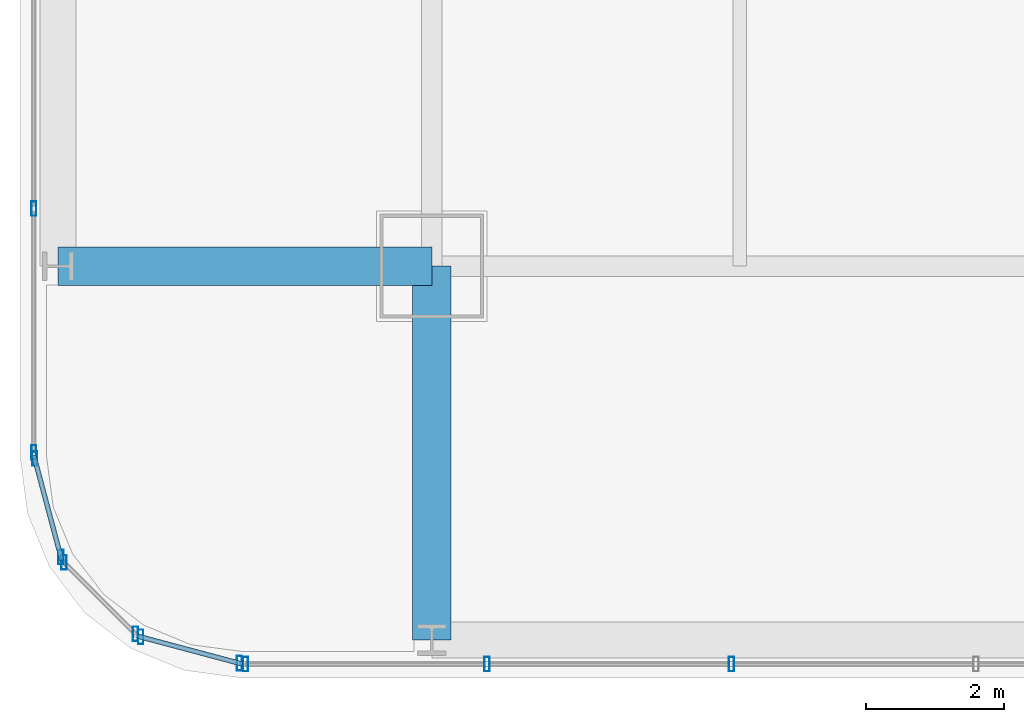
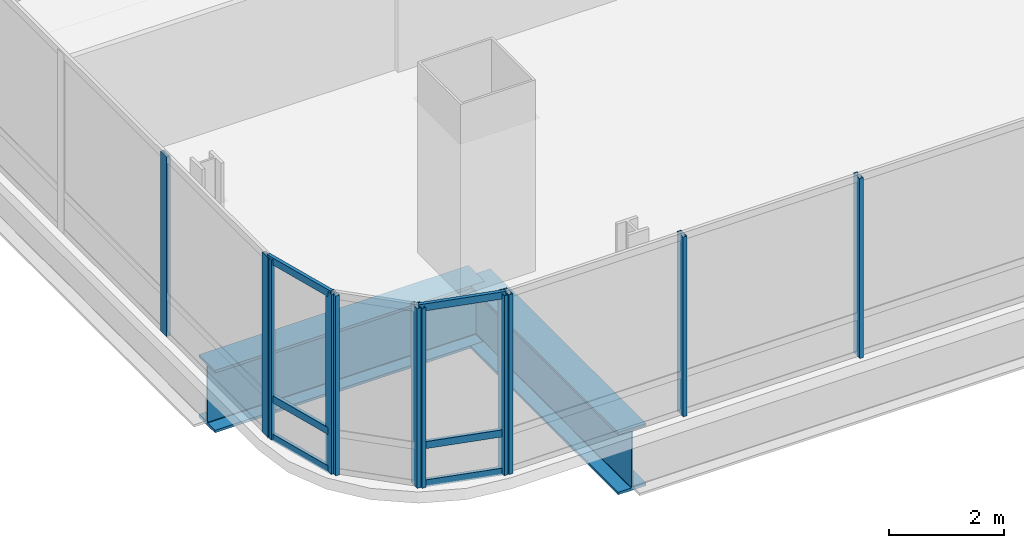
# One storey, part 2 of 36: 17 members, 2 beams, 5 elements without a shape of their own.
"""IFC4 building model written with IfcOpenShell, lengths in metres."""

from ifc_helpers import new_model, si_unit, direction, frame, origin, origin_2d, place, context, subcontext, project, spatial, hollow_rectangle, i_section, extrude, material, material_profile, profile_set, type_object, element, aggregate, save


model = new_model("IFC4")

# Units and contexts
model_context = context("Model", 3, precision=1e-05, world=origin(), true_north=direction((0.0, 1.0)))
body_context = subcontext(model_context, "Body", "Model", "MODEL_VIEW")
ifc_project = project(units=[si_unit("LENGTHUNIT", "METRE"), si_unit("AREAUNIT", "SQUARE_METRE"), si_unit("VOLUMEUNIT", "CUBIC_METRE"), si_unit("PLANEANGLEUNIT", "RADIAN"), si_unit("MASSUNIT", "GRAM", prefix="KILO")], contexts=[model_context])

# Site, building, storey
site_placement = place(None, origin())
site = spatial("IfcSite", under=ifc_project, at=site_placement, CompositionType="ELEMENT")
building_placement = place(site_placement, origin())
building = spatial("IfcBuilding", under=site, at=building_placement, Name="Punatoya Terracotta Tower", CompositionType="ELEMENT")
storey_placement = place(building_placement, frame((0.0, 0.0, 36.300048828125)))
storey = spatial("IfcBuildingStorey", under=building, at=storey_placement, Name="L07", CompositionType="ELEMENT", Elevation=36.300048828125)

# Beams
ifc_material_1 = material(Name="Steel S460", Category="steel")
ifc_material_profile_1 = material_profile(ifc_material_1, i_section(OverallWidth=0.56005859375, OverallDepth=1.320068359375, WebThickness=0.035888671875, FlangeThickness=0.054931640625, FilletRadius=0.01806640625, at=origin_2d()))
ifc_profile_set_1 = profile_set([ifc_material_profile_1], Name="Steel S460")
beam_type = type_object("IfcBeamType", Name="BM-TG-BLK", PredefinedType="BEAM", material=ifc_profile_set_1)
for number, where, z_axis, x_axis, name in (
    (1, (-24.5, -17.5, -0.900146484375), (1.0, 0.0, 0.0), (0.0, 1.0, 0.0), "BM-L07-CANT-W1"),
    (2, (-19.10009765625, -22.89990234375, -0.900146484375), (0.0, 1.0, 0.0), (-1.0, 0.0, 0.0), "BM-L07-CANT-S1"),
):
    element("IfcBeam", number, at=place(storey_placement, frame(where, z_axis=z_axis, x_axis=x_axis)), inside=storey, type_object=beam_type, Name=name, PredefinedType="BEAM", context=body_context, shape_type="SweptSolid", body=[
        extrude(i_section(OverallWidth=0.56005859375, OverallDepth=1.320068359375, WebThickness=0.035888671875, FlangeThickness=0.054931640625, FilletRadius=0.01806640625, at=origin_2d()), origin(), (0.0, 0.0, 1.0), 5.39990234375),
    ])

# Curtain wall, members
ifc_material_2 = material(Name="Aluminium 6063-T6 + Double Low-E Glass", Category="aluminium")
curtain_wall_type = type_object("IfcCurtainWallType", Name="CW-M1", PredefinedType="NOTDEFINED", material=ifc_material_2)
curtain_wall_1_placement = place(storey_placement, origin())
curtain_wall_1 = element("IfcCurtainWall", 3, at=curtain_wall_1_placement, inside=storey, type_object=curtain_wall_type, Name="L07 Curtain Wall CW-L07-S01-1", PredefinedType="NOTDEFINED")
ifc_material_3 = material(Name="Aluminium 6063-T6", Category="aluminium")
ifc_material_profile_2 = material_profile(ifc_material_3, hollow_rectangle(XDim=0.074951171875, YDim=0.2099609375, WallThickness=0.00439453125, at=origin_2d()))
ifc_profile_set_2 = profile_set([ifc_material_profile_2], Name="Aluminium 6063-T6")
member_type_1 = type_object("IfcMemberType", Name="CW-MUL-M1", PredefinedType="MULLION", material=ifc_profile_set_2)
member_1_placement = place(storey_placement, frame((-21.7919921875, -23.25, 0.0), z_axis=(0.0, 0.0, 1.0), x_axis=(1.0, 0.0, 0.0)))
member_1 = element("IfcMember", 4, at=member_1_placement, type_object=member_type_1, Name="CW-L07-S01-1 Mullion 00", PredefinedType="MULLION", context=body_context, shape_type="SweptSolid", body=[
    extrude(hollow_rectangle(XDim=0.074951171875, YDim=0.2099609375, WallThickness=0.00439453125, at=origin_2d()), origin(), (0.0, 0.0, 1.0), 3.81005859375),
])
member_2_placement = place(storey_placement, frame((-18.302978515625, -23.25, 0.0), z_axis=(0.0, 0.0, 1.0), x_axis=(1.0, 0.0, 0.0)))
member_2 = element("IfcMember", 5, at=member_2_placement, type_object=member_type_1, Name="CW-L07-S01-1 Mullion 01", PredefinedType="MULLION", context=body_context, shape_type="SweptSolid", body=[
    extrude(hollow_rectangle(XDim=0.074951171875, YDim=0.2099609375, WallThickness=0.00439453125, at=origin_2d()), origin(), (0.0, 0.0, 1.0), 3.81005859375),
])
member_3_placement = place(storey_placement, frame((-14.768798828125, -23.25, 0.0), z_axis=(0.0, 0.0, 1.0), x_axis=(1.0, 0.0, 0.0)))
member_3 = element("IfcMember", 6, at=member_3_placement, type_object=member_type_1, Name="CW-L07-S01-1 Mullion 02", PredefinedType="MULLION", context=body_context, shape_type="SweptSolid", body=[
    extrude(hollow_rectangle(XDim=0.074951171875, YDim=0.2099609375, WallThickness=0.00439453125, at=origin_2d()), origin(), (0.0, 0.0, 1.0), 3.81005859375),
])
aggregate(curtain_wall_1, [member_1, member_2, member_3])

curtain_wall_2_placement = place(storey_placement, origin())
curtain_wall_2 = element("IfcCurtainWall", 7, at=curtain_wall_2_placement, inside=storey, type_object=curtain_wall_type, Name="L07 Curtain Wall CW-L07-W13-1", PredefinedType="NOTDEFINED")
member_4_placement = place(storey_placement, frame((-24.85009765625, -16.66943359375, 0.0), z_axis=(0.0, 0.0, 1.0), x_axis=(1.0, 0.0, 0.0)))
member_4 = element("IfcMember", 8, at=member_4_placement, type_object=member_type_1, Name="CW-L07-W13-1 Mullion 09", PredefinedType="MULLION", context=body_context, shape_type="SweptSolid", body=[
    extrude(hollow_rectangle(XDim=0.074951171875, YDim=0.2099609375, WallThickness=0.00439453125, at=origin_2d()), origin(), (0.0, 0.0, 1.0), 3.81005859375),
])
member_5_placement = place(storey_placement, frame((-24.85009765625, -20.19189453125, 0.0), z_axis=(0.0, 0.0, 1.0), x_axis=(1.0, 0.0, 0.0)))
member_5 = element("IfcMember", 9, at=member_5_placement, type_object=member_type_1, Name="CW-L07-W13-1 Mullion 10", PredefinedType="MULLION", context=body_context, shape_type="SweptSolid", body=[
    extrude(hollow_rectangle(XDim=0.074951171875, YDim=0.2099609375, WallThickness=0.00439453125, at=origin_2d()), origin(), (0.0, 0.0, 1.0), 3.81005859375),
])
aggregate(curtain_wall_2, [member_4, member_5])

curtain_wall_3_placement = place(storey_placement, origin())
curtain_wall_3 = element("IfcCurtainWall", 10, at=curtain_wall_3_placement, inside=storey, type_object=curtain_wall_type, Name="L07 Curtain Wall CW-L07-CRN14", PredefinedType="NOTDEFINED")
member_6_placement = place(storey_placement, frame((-24.83837890625, -20.280517578125, 0.0), z_axis=(0.0, 0.0, 1.0), x_axis=(1.0, 0.0, 0.0)))
member_6 = element("IfcMember", 11, at=member_6_placement, type_object=member_type_1, Name="CW-L07-CRN14 Mullion 00", PredefinedType="MULLION", context=body_context, shape_type="SweptSolid", body=[
    extrude(hollow_rectangle(XDim=0.074951171875, YDim=0.2099609375, WallThickness=0.00439453125, at=origin_2d()), origin(), (0.0, 0.0, 1.0), 3.81005859375),
])
member_7_placement = place(storey_placement, frame((-24.458251953125, -21.70556640625, 0.0), z_axis=(0.0, 0.0, 1.0), x_axis=(1.0, 0.0, 0.0)))
member_7 = element("IfcMember", 12, at=member_7_placement, type_object=member_type_1, Name="CW-L07-CRN14 Mullion 01", PredefinedType="MULLION", context=body_context, shape_type="SweptSolid", body=[
    extrude(hollow_rectangle(XDim=0.074951171875, YDim=0.2099609375, WallThickness=0.00439453125, at=origin_2d()), origin(), (0.0, 0.0, 1.0), 3.81005859375),
])

curtain_wall_4_placement = place(storey_placement, origin())
curtain_wall_4 = element("IfcCurtainWall", 13, at=curtain_wall_4_placement, inside=storey, type_object=curtain_wall_type, Name="L07 Curtain Wall CW-L07-CRN15", PredefinedType="NOTDEFINED")
member_8_placement = place(storey_placement, frame((-24.414794921875, -21.781005859375, 0.0), z_axis=(0.0, 0.0, 1.0), x_axis=(1.0, 0.0, 0.0)))
member_8 = element("IfcMember", 14, at=member_8_placement, type_object=member_type_1, Name="CW-L07-CRN15 Mullion 00", PredefinedType="MULLION", context=body_context, shape_type="SweptSolid", body=[
    extrude(hollow_rectangle(XDim=0.074951171875, YDim=0.2099609375, WallThickness=0.00439453125, at=origin_2d()), origin(), (0.0, 0.0, 1.0), 3.81005859375),
])
member_9_placement = place(storey_placement, frame((-23.380859375, -22.814697265625, 0.0), z_axis=(0.0, 0.0, 1.0), x_axis=(1.0, 0.0, 0.0)))
member_9 = element("IfcMember", 15, at=member_9_placement, type_object=member_type_1, Name="CW-L07-CRN15 Mullion 01", PredefinedType="MULLION", context=body_context, shape_type="SweptSolid", body=[
    extrude(hollow_rectangle(XDim=0.074951171875, YDim=0.2099609375, WallThickness=0.00439453125, at=origin_2d()), origin(), (0.0, 0.0, 1.0), 3.81005859375),
])
aggregate(curtain_wall_4, [member_8, member_9])

curtain_wall_5_placement = place(storey_placement, origin())
curtain_wall_5 = element("IfcCurtainWall", 16, at=curtain_wall_5_placement, inside=storey, type_object=curtain_wall_type, Name="L07 Curtain Wall CW-L07-CRN16", PredefinedType="NOTDEFINED")
member_10_placement = place(storey_placement, frame((-23.3056640625, -22.858154296875, 0.0), z_axis=(0.0, 0.0, 1.0), x_axis=(1.0, 0.0, 0.0)))
member_10 = element("IfcMember", 17, at=member_10_placement, type_object=member_type_1, Name="CW-L07-CRN16 Mullion 00", PredefinedType="MULLION", context=body_context, shape_type="SweptSolid", body=[
    extrude(hollow_rectangle(XDim=0.074951171875, YDim=0.2099609375, WallThickness=0.00439453125, at=origin_2d()), origin(), (0.0, 0.0, 1.0), 3.81005859375),
])
member_11_placement = place(storey_placement, frame((-21.88037109375, -23.23828125, 0.0), z_axis=(0.0, 0.0, 1.0), x_axis=(1.0, 0.0, 0.0)))
member_11 = element("IfcMember", 18, at=member_11_placement, type_object=member_type_1, Name="CW-L07-CRN16 Mullion 01", PredefinedType="MULLION", context=body_context, shape_type="SweptSolid", body=[
    extrude(hollow_rectangle(XDim=0.074951171875, YDim=0.2099609375, WallThickness=0.00439453125, at=origin_2d()), origin(), (0.0, 0.0, 1.0), 3.81005859375),
])

# Member
ifc_material_profile_3 = material_profile(ifc_material_3, hollow_rectangle(XDim=0.068115234375, YDim=0.14990234375, WallThickness=0.00390625, at=origin_2d()))
ifc_profile_set_3 = profile_set([ifc_material_profile_3], Name="Aluminium 6063-T6")
member_type_2 = type_object("IfcMemberType", Name="CW-TRN-TYP", PredefinedType="USERDEFINED", material=ifc_profile_set_3)
member_12_placement = place(storey_placement, frame((-24.85009765625, -20.23681640625, 0.0400390625), z_axis=(0.257847112249, -0.966185730957, 0.0), x_axis=(0.966185730957, 0.257847112249, 0.0)))
member_12 = element("IfcMember", 19, at=member_12_placement, type_object=member_type_2, Name="CW-L07-CRN14 Transom 1", ObjectType="TRANSOM", PredefinedType="USERDEFINED", context=body_context, shape_type="SweptSolid", body=[
    extrude(hollow_rectangle(XDim=0.068115234375, YDim=0.14990234375, WallThickness=0.00390625, at=origin_2d()), origin(), (0.0, 0.0, 1.0), 1.565185546875),
])

member_13_placement = place(storey_placement, frame((-24.85009765625, -20.23681640625, 0.849853515625), z_axis=(0.257847112249, -0.966185730957, 0.0), x_axis=(0.966185730957, 0.257847112249, 0.0)))
member_13 = element("IfcMember", 20, at=member_13_placement, type_object=member_type_2, Name="CW-L07-CRN14 Transom 2", ObjectType="TRANSOM", PredefinedType="USERDEFINED", context=body_context, shape_type="SweptSolid", body=[
    extrude(hollow_rectangle(XDim=0.068115234375, YDim=0.14990234375, WallThickness=0.00390625, at=origin_2d()), origin(), (0.0, 0.0, 1.0), 1.565185546875),
])

member_14_placement = place(storey_placement, frame((-24.85009765625, -20.23681640625, 3.77001953125), z_axis=(0.257847112249, -0.966185730957, 0.0), x_axis=(0.966185730957, 0.257847112249, 0.0)))
member_14 = element("IfcMember", 21, at=member_14_placement, type_object=member_type_2, Name="CW-L07-CRN14 Transom 3", ObjectType="TRANSOM", PredefinedType="USERDEFINED", context=body_context, shape_type="SweptSolid", body=[
    extrude(hollow_rectangle(XDim=0.068115234375, YDim=0.14990234375, WallThickness=0.00390625, at=origin_2d()), origin(), (0.0, 0.0, 1.0), 1.565185546875),
])

aggregate(curtain_wall_3, [member_6, member_7, member_12, member_13, member_14])

member_15_placement = place(storey_placement, frame((-23.34912109375, -22.8466796875, 0.0400390625), z_axis=(0.966224582397, -0.257701486942, 0.0), x_axis=(0.257701486942, 0.966224582397, 0.0)))
member_15 = element("IfcMember", 22, at=member_15_placement, type_object=member_type_2, Name="CW-L07-CRN16 Transom 1", ObjectType="TRANSOM", PredefinedType="USERDEFINED", context=body_context, shape_type="SweptSolid", body=[
    extrude(hollow_rectangle(XDim=0.068115234375, YDim=0.14990234375, WallThickness=0.00390625, at=origin_2d()), origin(), (0.0, 0.0, 1.0), 1.565185546875),
])

member_16_placement = place(storey_placement, frame((-23.34912109375, -22.8466796875, 0.849853515625), z_axis=(0.966224582397, -0.257701486942, 0.0), x_axis=(0.257701486942, 0.966224582397, 0.0)))
member_16 = element("IfcMember", 23, at=member_16_placement, type_object=member_type_2, Name="CW-L07-CRN16 Transom 2", ObjectType="TRANSOM", PredefinedType="USERDEFINED", context=body_context, shape_type="SweptSolid", body=[
    extrude(hollow_rectangle(XDim=0.068115234375, YDim=0.14990234375, WallThickness=0.00390625, at=origin_2d()), origin(), (0.0, 0.0, 1.0), 1.565185546875),
])

member_17_placement = place(storey_placement, frame((-23.34912109375, -22.8466796875, 3.77001953125), z_axis=(0.966224582397, -0.257701486942, 0.0), x_axis=(0.257701486942, 0.966224582397, 0.0)))
member_17 = element("IfcMember", 24, at=member_17_placement, type_object=member_type_2, Name="CW-L07-CRN16 Transom 3", ObjectType="TRANSOM", PredefinedType="USERDEFINED", context=body_context, shape_type="SweptSolid", body=[
    extrude(hollow_rectangle(XDim=0.068115234375, YDim=0.14990234375, WallThickness=0.00390625, at=origin_2d()), origin(), (0.0, 0.0, 1.0), 1.565185546875),
])

aggregate(curtain_wall_5, [member_10, member_11, member_15, member_16, member_17])

save(model, "model.ifc")
